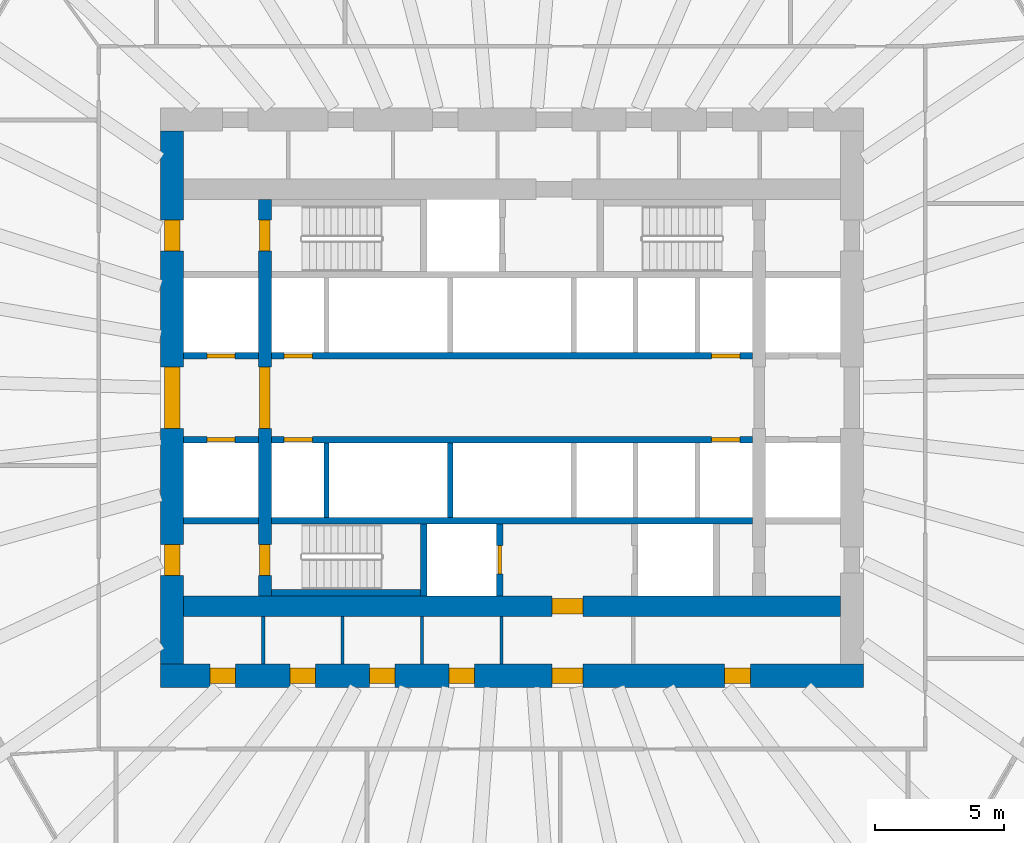
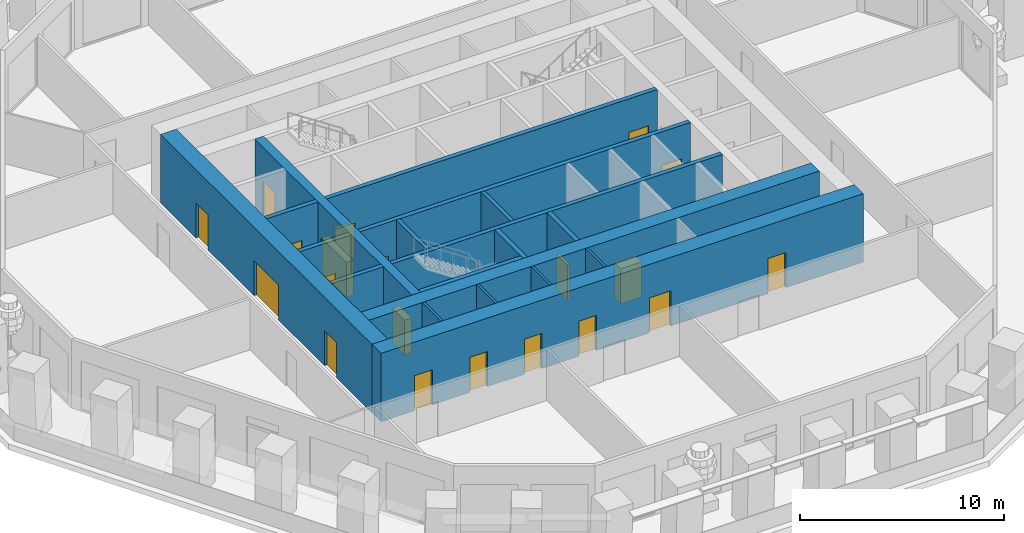
# One storey, part 4 of 12: 20 doors, 19 walls, 20 openings.
"""IFC4 building model written with IfcOpenShell, lengths in metres."""

from ifc_helpers import new_model, si_unit, direction, frame, frame_2d, origin, place, context, subcontext, project, spatial, rectangle, extrude, material, layer, layer_set, type_object, element, fill, save


model = new_model("IFC4")

# Units and contexts
model_context = context("Model", 3, precision=1e-05, world=origin(), true_north=direction((0.0, 1.0)))
body_context = subcontext(model_context, "Body", "Model", "MODEL_VIEW")
ifc_project = project(units=[si_unit("LENGTHUNIT", "METRE"), si_unit("AREAUNIT", "SQUARE_METRE"), si_unit("VOLUMEUNIT", "CUBIC_METRE"), si_unit("PLANEANGLEUNIT", "RADIAN"), si_unit("MASSUNIT", "GRAM", prefix="KILO")], contexts=[model_context])

# Site, building, storey
site_placement = place(None, origin())
site = spatial("IfcSite", under=ifc_project, at=site_placement, CompositionType="ELEMENT")
building_placement = place(site_placement, origin())
building = spatial("IfcBuilding", under=site, at=building_placement, Name="Frailejon Research Tower", CompositionType="ELEMENT")
storey_placement = place(building_placement, frame((0.0, 0.0, 41.0)))
storey = spatial("IfcBuildingStorey", under=building, at=storey_placement, Name="L09", CompositionType="ELEMENT", Elevation=41.0)

# Walls
ifc_material_1 = material(Name="Plasterboard on steel studs", Category="steel")
ifc_layer_1 = layer(ifc_material_1, 0.125)
ifc_layer_set_1 = layer_set([ifc_layer_1], Name="Core partition 125")
wall_type_1 = type_object("IfcWallType", Name="Core partition 125", PredefinedType="PARTITIONING", material=ifc_layer_set_1)
for number, where, z_axis, x_axis, name in (
    (1, (-9.66552734375, -10.35009765625, 0.0), (0.0, 0.0, 1.0), (0.0, 1.0, 0.0), "Core partition"),
    (2, (-6.581298828125, -10.35009765625, 0.0), (0.0, 0.0, 1.0), (0.0, 1.0, 0.0), "Core partition"),
    (3, (-3.496826171875, -10.35009765625, 0.0), (0.0, 0.0, 1.0), (0.0, 1.0, 0.0), "Core partition"),
    (4, (-0.41259765625, -10.35009765625, 0.0), (0.0, 0.0, 1.0), (0.0, 1.0, 0.0), "Core partition"),
):
    element("IfcWall", number, at=place(storey_placement, frame(where, z_axis=z_axis, x_axis=x_axis)), inside=storey, type_object=wall_type_1, Name=name, PredefinedType="PARTITIONING", context=body_context, shape_type="SweptSolid", body=[
        extrude(rectangle(XDim=1.85009765625, YDim=0.125, at=frame_2d((0.925048828125, 0.0))), origin(), (0.0, 0.0, 1.0), 4.10009765625),
    ])

# Wall, openings, doors
ifc_material_2 = material(Name="Concrete C70/85", Category="concrete")
ifc_layer_2 = layer(ifc_material_2, 0.5)
ifc_layer_set_2 = layer_set([ifc_layer_2], Name="Core shear wall 500 C70/85")
wall_type_2 = type_object("IfcWallType", Name="Core shear wall 500 C70/85", PredefinedType="SHEAR", material=ifc_layer_set_2)
wall_1_placement = place(storey_placement, frame((-9.60009765625, -7.699951171875, 0.0), z_axis=(0.0, 0.0, 1.0), x_axis=(0.0, 1.0, 0.0)))
wall_1 = element("IfcWall", 5, at=wall_1_placement, inside=storey, type_object=wall_type_2, Name="Core shear wall", PredefinedType="SHEAR", context=body_context, shape_type="SweptSolid", body=[
    extrude(rectangle(XDim=15.39990234375, YDim=0.5, at=frame_2d((7.699951171875, 0.0))), origin(), (0.0, 0.0, 1.0), 4.10009765625),
])
opening_1_placement = place(wall_1_placement, frame((6.5, 0.0, 0.0)))
opening_1 = element("IfcOpeningElement", 6, at=opening_1_placement, cuts=wall_1, Name="Opening D2", PredefinedType="OPENING", context=body_context, shape_type="SweptSolid", body=[
    extrude(rectangle(XDim=2.39990234375, YDim=2.10009765625, at=frame_2d((1.199951171875, 1.050048828125))), frame((0.0, 0.260009765625, 0.0), z_axis=(0.0, -1.0, 0.0), x_axis=(1.0, 0.0, 0.0)), (0.0, 0.0, 1.0), 0.52001953125),
])
opening_2_placement = place(wall_1_placement, frame((13.39990234375, 0.0, 0.0)))
opening_2 = element("IfcOpeningElement", 7, at=opening_2_placement, cuts=wall_1, Name="Opening D1", PredefinedType="OPENING", context=body_context, shape_type="SweptSolid", body=[
    extrude(rectangle(XDim=1.199951171875, YDim=2.10009765625, at=frame_2d((0.60009765625, 1.050048828125))), frame((0.0, 0.260009765625, 0.0), z_axis=(0.0, -1.0, 0.0), x_axis=(1.0, 0.0, 0.0)), (0.0, 0.0, 1.0), 0.52001953125),
])
opening_3_placement = place(wall_1_placement, frame((0.800048828125, 0.0, 0.0)))
opening_3 = element("IfcOpeningElement", 8, at=opening_3_placement, cuts=wall_1, Name="Opening D1", PredefinedType="OPENING", context=body_context, shape_type="SweptSolid", body=[
    extrude(rectangle(XDim=1.199951171875, YDim=2.10009765625, at=frame_2d((0.60009765625, 1.050048828125))), frame((0.0, 0.260009765625, 0.0), z_axis=(0.0, -1.0, 0.0), x_axis=(1.0, 0.0, 0.0)), (0.0, 0.0, 1.0), 0.52001953125),
])
ifc_material_3 = material(Name="Steel", Category="steel")
door_type_1 = type_object("IfcDoorType", Name="Lobby double door", OperationType="DOUBLE_DOOR_SINGLE_SWING", PredefinedType="DOOR", material=ifc_material_3)
door_1_placement = place(opening_1_placement, origin())
door_1 = element("IfcDoor", 9, at=door_1_placement, inside=storey, type_object=door_type_1, Name="Lobby door", OperationType="DOUBLE_DOOR_SINGLE_SWING", OverallHeight=2.10009765625, OverallWidth=2.39990234375, PredefinedType="DOOR", context=body_context, shape_type="SweptSolid", body=[
    extrude(rectangle(XDim=2.39990234375, YDim=2.10009765625, at=frame_2d((1.199951171875, 1.050048828125))), frame((0.0, 0.199951171875, 0.0), z_axis=(0.0, -1.0, 0.0), x_axis=(1.0, 0.0, 0.0)), (0.0, 0.0, 1.0), 0.39990234375),
])
fill(opening_1, door_1)
ifc_material_4 = material(Name="Steel", Category="steel")
door_type_2 = type_object("IfcDoorType", Name="Stair door", OperationType="SINGLE_SWING_LEFT", PredefinedType="DOOR", material=ifc_material_4)
door_2_placement = place(opening_2_placement, origin())
door_2 = element("IfcDoor", 10, at=door_2_placement, inside=storey, type_object=door_type_2, Name="Stair door ST1", OperationType="SINGLE_SWING_RIGHT", OverallHeight=2.10009765625, OverallWidth=1.199951171875, PredefinedType="DOOR", context=body_context, shape_type="SweptSolid", body=[
    extrude(rectangle(XDim=1.199951171875, YDim=2.10009765625, at=frame_2d((0.60009765625, 1.050048828125))), frame((0.0, 0.199951171875, 0.0), z_axis=(0.0, -1.0, 0.0), x_axis=(1.0, 0.0, 0.0)), (0.0, 0.0, 1.0), 0.39990234375),
])
fill(opening_2, door_2)
door_3_placement = place(opening_3_placement, origin())
door_3 = element("IfcDoor", 11, at=door_3_placement, inside=storey, type_object=door_type_2, Name="Stair door ST2", OperationType="SINGLE_SWING_RIGHT", OverallHeight=2.10009765625, OverallWidth=1.199951171875, PredefinedType="DOOR", context=body_context, shape_type="SweptSolid", body=[
    extrude(rectangle(XDim=1.199951171875, YDim=2.10009765625, at=frame_2d((0.60009765625, 1.050048828125))), frame((0.0, 0.199951171875, 0.0), z_axis=(0.0, -1.0, 0.0), x_axis=(1.0, 0.0, 0.0)), (0.0, 0.0, 1.0), 0.39990234375),
])
fill(opening_3, door_3)

# Wall, opening, door
ifc_material_5 = material(Name="Concrete C70/85", Category="concrete")
ifc_layer_3 = layer(ifc_material_5, 0.800048828125)
ifc_layer_set_3 = layer_set([ifc_layer_3], Name="Core shear wall 800 C70/85")
wall_type_3 = type_object("IfcWallType", Name="Core shear wall 800 C70/85", PredefinedType="SHEAR", material=ifc_layer_set_3)
wall_2_placement = place(storey_placement, frame((-12.75, -8.10009765625, 0.0), z_axis=(0.0, 0.0, 1.0), x_axis=(1.0, 0.0, 0.0)))
wall_2 = element("IfcWall", 12, at=wall_2_placement, inside=storey, type_object=wall_type_3, Name="Core shear wall", PredefinedType="SHEAR", context=body_context, shape_type="SweptSolid", body=[
    extrude(rectangle(XDim=25.5, YDim=0.800048828125, at=frame_2d((12.75, 0.0))), origin(), (0.0, 0.0, 1.0), 4.10009765625),
])
opening_4_placement = place(wall_2_placement, frame((14.300048828125, 0.0, 0.0)))
opening_4 = element("IfcOpeningElement", 13, at=opening_4_placement, cuts=wall_2, Name="Opening D3", PredefinedType="OPENING", context=body_context, shape_type="SweptSolid", body=[
    extrude(rectangle(XDim=1.199951171875, YDim=2.10009765625, at=frame_2d((0.60009765625, 1.050048828125))), frame((0.0, 0.409912109375, 0.0), z_axis=(0.0, -1.0, 0.0), x_axis=(1.0, 0.0, 0.0)), (0.0, 0.0, 1.0), 0.820068359375),
])
ifc_material_6 = material(Name="Steel", Category="steel")
door_type_3 = type_object("IfcDoorType", Name="Firefighting lobby door", OperationType="SINGLE_SWING_LEFT", PredefinedType="DOOR", material=ifc_material_6)
door_4_placement = place(opening_4_placement, origin())
door_4 = element("IfcDoor", 14, at=door_4_placement, inside=storey, type_object=door_type_3, Name="Firefighting lobby door", OperationType="SINGLE_SWING_RIGHT", OverallHeight=2.10009765625, OverallWidth=1.199951171875, PredefinedType="DOOR", context=body_context, shape_type="SweptSolid", body=[
    extrude(rectangle(XDim=1.199951171875, YDim=2.10009765625, at=frame_2d((0.60009765625, 1.050048828125))), frame((0.0, 0.300048828125, 0.0), z_axis=(0.0, -1.0, 0.0), x_axis=(1.0, 0.0, 0.0)), (0.0, 0.0, 1.0), 0.60009765625),
])
fill(opening_4, door_4)

# Wall, openings, doors
ifc_material_7 = material(Name="Concrete C70/85", Category="concrete")
ifc_layer_4 = layer(ifc_material_7, 0.89990234375)
ifc_layer_set_4 = layer_set([ifc_layer_4], Name="Core shear wall 900 C70/85")
wall_type_4 = type_object("IfcWallType", Name="Core shear wall 900 C70/85", PredefinedType="SHEAR", material=ifc_layer_set_4)
wall_3_placement = place(storey_placement, frame((-13.64990234375, -10.800048828125, 0.0), z_axis=(0.0, 0.0, 1.0), x_axis=(1.0, 0.0, 0.0)))
wall_3 = element("IfcWall", 15, at=wall_3_placement, inside=storey, type_object=wall_type_4, Name="Core shear wall", PredefinedType="SHEAR", context=body_context, shape_type="SweptSolid", body=[
    extrude(rectangle(XDim=27.2998046875, YDim=0.89990234375, at=frame_2d((13.64990234375, 0.0))), origin(), (0.0, 0.0, 1.0), 4.10009765625),
])
opening_5_placement = place(wall_3_placement, frame((1.910888671875, 0.0, 0.0)))
opening_5 = element("IfcOpeningElement", 16, at=opening_5_placement, cuts=wall_3, Name="Opening D4", PredefinedType="OPENING", context=body_context, shape_type="SweptSolid", body=[
    extrude(rectangle(XDim=1.0, YDim=2.10009765625, at=frame_2d((0.5, 1.050048828125))), frame((0.0, 0.4599609375, 0.0), z_axis=(0.0, -1.0, 0.0), x_axis=(1.0, 0.0, 0.0)), (0.0, 0.0, 1.0), 0.919921875),
])
opening_6_placement = place(wall_3_placement, frame((5.026611328125, 0.0, 0.0)))
opening_6 = element("IfcOpeningElement", 17, at=opening_6_placement, cuts=wall_3, Name="Opening D4", PredefinedType="OPENING", context=body_context, shape_type="SweptSolid", body=[
    extrude(rectangle(XDim=1.0, YDim=2.10009765625, at=frame_2d((0.5, 1.050048828125))), frame((0.0, 0.4599609375, 0.0), z_axis=(0.0, -1.0, 0.0), x_axis=(1.0, 0.0, 0.0)), (0.0, 0.0, 1.0), 0.919921875),
])
opening_7_placement = place(wall_3_placement, frame((8.11083984375, 0.0, 0.0)))
opening_7 = element("IfcOpeningElement", 18, at=opening_7_placement, cuts=wall_3, Name="Opening D4", PredefinedType="OPENING", context=body_context, shape_type="SweptSolid", body=[
    extrude(rectangle(XDim=1.0, YDim=2.10009765625, at=frame_2d((0.5, 1.050048828125))), frame((0.0, 0.4599609375, 0.0), z_axis=(0.0, -1.0, 0.0), x_axis=(1.0, 0.0, 0.0)), (0.0, 0.0, 1.0), 0.919921875),
])
opening_8_placement = place(wall_3_placement, frame((11.1953125, 0.0, 0.0)))
opening_8 = element("IfcOpeningElement", 19, at=opening_8_placement, cuts=wall_3, Name="Opening D4", PredefinedType="OPENING", context=body_context, shape_type="SweptSolid", body=[
    extrude(rectangle(XDim=1.0, YDim=2.10009765625, at=frame_2d((0.5, 1.050048828125))), frame((0.0, 0.4599609375, 0.0), z_axis=(0.0, -1.0, 0.0), x_axis=(1.0, 0.0, 0.0)), (0.0, 0.0, 1.0), 0.919921875),
])
opening_9_placement = place(wall_3_placement, frame((21.91259765625, 0.0, 0.0)))
opening_9 = element("IfcOpeningElement", 20, at=opening_9_placement, cuts=wall_3, Name="Opening D4", PredefinedType="OPENING", context=body_context, shape_type="SweptSolid", body=[
    extrude(rectangle(XDim=1.0, YDim=2.10009765625, at=frame_2d((0.5, 1.050048828125))), frame((0.0, 0.4599609375, 0.0), z_axis=(0.0, -1.0, 0.0), x_axis=(1.0, 0.0, 0.0)), (0.0, 0.0, 1.0), 0.919921875),
])
opening_10_placement = place(wall_3_placement, frame((15.199951171875, 0.0, 0.0)))
opening_10 = element("IfcOpeningElement", 21, at=opening_10_placement, cuts=wall_3, Name="Opening D3", PredefinedType="OPENING", context=body_context, shape_type="SweptSolid", body=[
    extrude(rectangle(XDim=1.199951171875, YDim=2.10009765625, at=frame_2d((0.60009765625, 1.050048828125))), frame((0.0, 0.4599609375, 0.0), z_axis=(0.0, -1.0, 0.0), x_axis=(1.0, 0.0, 0.0)), (0.0, 0.0, 1.0), 0.919921875),
])
door_5_placement = place(opening_10_placement, origin())
door_5 = element("IfcDoor", 22, at=door_5_placement, inside=storey, type_object=door_type_3, Name="Passage door", OperationType="SINGLE_SWING_RIGHT", OverallHeight=2.10009765625, OverallWidth=1.199951171875, PredefinedType="DOOR", context=body_context, shape_type="SweptSolid", body=[
    extrude(rectangle(XDim=1.199951171875, YDim=2.10009765625, at=frame_2d((0.60009765625, 1.050048828125))), frame((0.0, 0.300048828125, 0.0), z_axis=(0.0, -1.0, 0.0), x_axis=(1.0, 0.0, 0.0)), (0.0, 0.0, 1.0), 0.60009765625),
])
fill(opening_10, door_5)
ifc_material_8 = material(Name="Steel", Category="steel")
door_type_4 = type_object("IfcDoorType", Name="Service door", OperationType="SINGLE_SWING_LEFT", PredefinedType="DOOR", material=ifc_material_8)
door_6_placement = place(opening_5_placement, origin())
door_6 = element("IfcDoor", 23, at=door_6_placement, inside=storey, type_object=door_type_4, Name="Room door", OperationType="SINGLE_SWING_LEFT", OverallHeight=2.10009765625, OverallWidth=1.0, PredefinedType="DOOR", context=body_context, shape_type="SweptSolid", body=[
    extrude(rectangle(XDim=1.0, YDim=2.10009765625, at=frame_2d((0.5, 1.050048828125))), frame((0.0, 0.300048828125, 0.0), z_axis=(0.0, -1.0, 0.0), x_axis=(1.0, 0.0, 0.0)), (0.0, 0.0, 1.0), 0.60009765625),
])
fill(opening_5, door_6)
door_7_placement = place(opening_6_placement, origin())
door_7 = element("IfcDoor", 24, at=door_7_placement, inside=storey, type_object=door_type_4, Name="Room door", OperationType="SINGLE_SWING_RIGHT", OverallHeight=2.10009765625, OverallWidth=1.0, PredefinedType="DOOR", context=body_context, shape_type="SweptSolid", body=[
    extrude(rectangle(XDim=1.0, YDim=2.10009765625, at=frame_2d((0.5, 1.050048828125))), frame((0.0, 0.300048828125, 0.0), z_axis=(0.0, -1.0, 0.0), x_axis=(1.0, 0.0, 0.0)), (0.0, 0.0, 1.0), 0.60009765625),
])
fill(opening_6, door_7)
door_8_placement = place(opening_7_placement, origin())
door_8 = element("IfcDoor", 25, at=door_8_placement, inside=storey, type_object=door_type_4, Name="Room door", OperationType="SINGLE_SWING_LEFT", OverallHeight=2.10009765625, OverallWidth=1.0, PredefinedType="DOOR", context=body_context, shape_type="SweptSolid", body=[
    extrude(rectangle(XDim=1.0, YDim=2.10009765625, at=frame_2d((0.5, 1.050048828125))), frame((0.0, 0.300048828125, 0.0), z_axis=(0.0, -1.0, 0.0), x_axis=(1.0, 0.0, 0.0)), (0.0, 0.0, 1.0), 0.60009765625),
])
fill(opening_7, door_8)
door_9_placement = place(opening_8_placement, origin())
door_9 = element("IfcDoor", 26, at=door_9_placement, inside=storey, type_object=door_type_4, Name="Room door", OperationType="SINGLE_SWING_RIGHT", OverallHeight=2.10009765625, OverallWidth=1.0, PredefinedType="DOOR", context=body_context, shape_type="SweptSolid", body=[
    extrude(rectangle(XDim=1.0, YDim=2.10009765625, at=frame_2d((0.5, 1.050048828125))), frame((0.0, 0.300048828125, 0.0), z_axis=(0.0, -1.0, 0.0), x_axis=(1.0, 0.0, 0.0)), (0.0, 0.0, 1.0), 0.60009765625),
])
fill(opening_8, door_9)
door_10_placement = place(opening_9_placement, origin())
door_10 = element("IfcDoor", 27, at=door_10_placement, inside=storey, type_object=door_type_4, Name="Room door", OperationType="SINGLE_SWING_LEFT", OverallHeight=2.10009765625, OverallWidth=1.0, PredefinedType="DOOR", context=body_context, shape_type="SweptSolid", body=[
    extrude(rectangle(XDim=1.0, YDim=2.10009765625, at=frame_2d((0.5, 1.050048828125))), frame((0.0, 0.300048828125, 0.0), z_axis=(0.0, -1.0, 0.0), x_axis=(1.0, 0.0, 0.0)), (0.0, 0.0, 1.0), 0.60009765625),
])
fill(opening_9, door_10)

wall_4_placement = place(storey_placement, frame((-13.199951171875, -10.35009765625, 0.0), z_axis=(0.0, 0.0, 1.0), x_axis=(0.0, 1.0, 0.0)))
wall_4 = element("IfcWall", 28, at=wall_4_placement, inside=storey, type_object=wall_type_4, Name="Core shear wall", PredefinedType="SHEAR", context=body_context, shape_type="SweptSolid", body=[
    extrude(rectangle(XDim=20.7001953125, YDim=0.89990234375, at=frame_2d((10.35009765625, 0.0))), origin(), (0.0, 0.0, 1.0), 4.10009765625),
])
opening_11_placement = place(wall_4_placement, frame((9.14990234375, 0.0, 0.0)))
opening_11 = element("IfcOpeningElement", 29, at=opening_11_placement, cuts=wall_4, Name="Opening D2", PredefinedType="OPENING", context=body_context, shape_type="SweptSolid", body=[
    extrude(rectangle(XDim=2.39990234375, YDim=2.10009765625, at=frame_2d((1.199951171875, 1.050048828125))), frame((0.0, 0.4599609375, 0.0), z_axis=(0.0, -1.0, 0.0), x_axis=(1.0, 0.0, 0.0)), (0.0, 0.0, 1.0), 0.919921875),
])
opening_12_placement = place(wall_4_placement, frame((16.050048828125, 0.0, 0.0)))
opening_12 = element("IfcOpeningElement", 30, at=opening_12_placement, cuts=wall_4, Name="Opening D7", PredefinedType="OPENING", context=body_context, shape_type="SweptSolid", body=[
    extrude(rectangle(XDim=1.199951171875, YDim=2.10009765625, at=frame_2d((0.60009765625, 1.050048828125))), frame((0.0, 0.4599609375, 0.0), z_axis=(0.0, -1.0, 0.0), x_axis=(1.0, 0.0, 0.0)), (0.0, 0.0, 1.0), 0.919921875),
])
opening_13_placement = place(wall_4_placement, frame((3.449951171875, 0.0, 0.0)))
opening_13 = element("IfcOpeningElement", 31, at=opening_13_placement, cuts=wall_4, Name="Opening D7", PredefinedType="OPENING", context=body_context, shape_type="SweptSolid", body=[
    extrude(rectangle(XDim=1.199951171875, YDim=2.10009765625, at=frame_2d((0.60009765625, 1.050048828125))), frame((0.0, 0.4599609375, 0.0), z_axis=(0.0, -1.0, 0.0), x_axis=(1.0, 0.0, 0.0)), (0.0, 0.0, 1.0), 0.919921875),
])
door_11_placement = place(opening_11_placement, origin())
door_11 = element("IfcDoor", 32, at=door_11_placement, inside=storey, type_object=door_type_1, Name="Lobby door", OperationType="DOUBLE_DOOR_SINGLE_SWING", OverallHeight=2.10009765625, OverallWidth=2.39990234375, PredefinedType="DOOR", context=body_context, shape_type="SweptSolid", body=[
    extrude(rectangle(XDim=2.39990234375, YDim=2.10009765625, at=frame_2d((1.199951171875, 1.050048828125))), frame((0.0, 0.300048828125, 0.0), z_axis=(0.0, -1.0, 0.0), x_axis=(1.0, 0.0, 0.0)), (0.0, 0.0, 1.0), 0.60009765625),
])
fill(opening_11, door_11)
ifc_material_9 = material(Name="Steel", Category="steel")
door_type_5 = type_object("IfcDoorType", Name="Stair exit door", OperationType="SINGLE_SWING_LEFT", PredefinedType="DOOR", material=ifc_material_9)
door_12_placement = place(opening_12_placement, origin())
door_12 = element("IfcDoor", 33, at=door_12_placement, inside=storey, type_object=door_type_5, Name="Stair exit door ST1", OperationType="SINGLE_SWING_LEFT", OverallHeight=2.10009765625, OverallWidth=1.199951171875, PredefinedType="DOOR", context=body_context, shape_type="SweptSolid", body=[
    extrude(rectangle(XDim=1.199951171875, YDim=2.10009765625, at=frame_2d((0.60009765625, 1.050048828125))), frame((0.0, 0.300048828125, 0.0), z_axis=(0.0, -1.0, 0.0), x_axis=(1.0, 0.0, 0.0)), (0.0, 0.0, 1.0), 0.60009765625),
])
fill(opening_12, door_12)
door_13_placement = place(opening_13_placement, origin())
door_13 = element("IfcDoor", 34, at=door_13_placement, inside=storey, type_object=door_type_5, Name="Stair exit door ST2", OperationType="SINGLE_SWING_LEFT", OverallHeight=2.10009765625, OverallWidth=1.199951171875, PredefinedType="DOOR", context=body_context, shape_type="SweptSolid", body=[
    extrude(rectangle(XDim=1.199951171875, YDim=2.10009765625, at=frame_2d((0.60009765625, 1.050048828125))), frame((0.0, 0.300048828125, 0.0), z_axis=(0.0, -1.0, 0.0), x_axis=(1.0, 0.0, 0.0)), (0.0, 0.0, 1.0), 0.60009765625),
])
fill(opening_13, door_13)

# Walls
ifc_material_10 = material(Name="Concrete C70/85", Category="concrete")
ifc_layer_5 = layer(ifc_material_10, 0.199951171875)
ifc_layer_set_5 = layer_set([ifc_layer_5], Name="Shaft wall 200 C70/85")
wall_type_5 = type_object("IfcWallType", Name="Shaft wall 200 C70/85", PredefinedType="SOLIDWALL", material=ifc_layer_set_5)
for number, where, z_axis, x_axis, name in (
    (35, (-7.199951171875, -4.64990234375, 0.0), (0.0, 0.0, 1.0), (0.0, 1.0, 0.0), "Shaft wall"),
    (36, (-2.39990234375, -4.64990234375, 0.0), (0.0, 0.0, 1.0), (0.0, 1.0, 0.0), "Shaft wall"),
):
    element("IfcWall", number, at=place(storey_placement, frame(where, z_axis=z_axis, x_axis=x_axis)), inside=storey, type_object=wall_type_5, Name=name, PredefinedType="SOLIDWALL", context=body_context, shape_type="SweptSolid", body=[
        extrude(rectangle(XDim=2.89990234375, YDim=0.199951171875, at=frame_2d((1.449951171875, 0.0))), origin(), (0.0, 0.0, 1.0), 4.10009765625),
    ])

# Wall, opening, door
ifc_material_11 = material(Name="Concrete C70/85", Category="concrete")
ifc_layer_6 = layer(ifc_material_11, 0.25)
ifc_layer_set_6 = layer_set([ifc_layer_6], Name="Shaft wall 250 C70/85")
wall_type_6 = type_object("IfcWallType", Name="Shaft wall 250 C70/85", PredefinedType="SOLIDWALL", material=ifc_layer_set_6)
wall_5_placement = place(storey_placement, frame((-12.75, 1.625, 0.0), z_axis=(0.0, 0.0, 1.0), x_axis=(1.0, 0.0, 0.0)))
wall_5 = element("IfcWall", 37, at=wall_5_placement, inside=storey, type_object=wall_type_6, Name="Shaft wall", PredefinedType="SOLIDWALL", context=body_context, shape_type="SweptSolid", body=[
    extrude(rectangle(XDim=2.89990234375, YDim=0.25, at=frame_2d((1.449951171875, 0.0))), origin(), (0.0, 0.0, 1.0), 4.10009765625),
])
opening_14_placement = place(wall_5_placement, frame((0.89990234375, 0.0, 0.0)))
opening_14 = element("IfcOpeningElement", 38, at=opening_14_placement, cuts=wall_5, Name="Opening LD", PredefinedType="OPENING", context=body_context, shape_type="SweptSolid", body=[
    extrude(rectangle(XDim=1.10009765625, YDim=2.10009765625, at=frame_2d((0.550048828125, 1.050048828125))), frame((0.0, 0.135009765625, 0.0), z_axis=(0.0, -1.0, 0.0), x_axis=(1.0, 0.0, 0.0)), (0.0, 0.0, 1.0), 0.27001953125),
])
ifc_material_12 = material(Name="Steel", Category="steel")
door_type_6 = type_object("IfcDoorType", Name="Lift landing door", OperationType="DOUBLE_DOOR_SLIDING", PredefinedType="DOOR", material=ifc_material_12)
door_14_placement = place(opening_14_placement, origin())
door_14 = element("IfcDoor", 39, at=door_14_placement, inside=storey, type_object=door_type_6, Name="Lift landing door", OperationType="DOUBLE_DOOR_SLIDING", OverallHeight=2.10009765625, OverallWidth=1.10009765625, PredefinedType="DOOR", context=body_context, shape_type="SweptSolid", body=[
    extrude(rectangle(XDim=1.10009765625, YDim=2.10009765625, at=frame_2d((0.550048828125, 1.050048828125))), frame((0.0, 0.074951171875, 0.0), z_axis=(0.0, -1.0, 0.0), x_axis=(1.0, 0.0, 0.0)), (0.0, 0.0, 1.0), 0.14990234375),
])
fill(opening_14, door_14)

# Wall, openings, doors
wall_6_placement = place(storey_placement, frame((-9.35009765625, 1.625, 0.0), z_axis=(0.0, 0.0, 1.0), x_axis=(1.0, 0.0, 0.0)))
wall_6 = element("IfcWall", 40, at=wall_6_placement, inside=storey, type_object=wall_type_6, Name="Shaft wall", PredefinedType="SOLIDWALL", context=body_context, shape_type="SweptSolid", body=[
    extrude(rectangle(XDim=18.7001953125, YDim=0.25, at=frame_2d((9.35009765625, 0.0))), origin(), (0.0, 0.0, 1.0), 4.10009765625),
])
opening_15_placement = place(wall_6_placement, frame((0.5, 0.0, 0.0)))
opening_15 = element("IfcOpeningElement", 41, at=opening_15_placement, cuts=wall_6, Name="Opening LD", PredefinedType="OPENING", context=body_context, shape_type="SweptSolid", body=[
    extrude(rectangle(XDim=1.10009765625, YDim=2.10009765625, at=frame_2d((0.550048828125, 1.050048828125))), frame((0.0, 0.135009765625, 0.0), z_axis=(0.0, -1.0, 0.0), x_axis=(1.0, 0.0, 0.0)), (0.0, 0.0, 1.0), 0.27001953125),
])
opening_16_placement = place(wall_6_placement, frame((17.10009765625, 0.0, 0.0)))
opening_16 = element("IfcOpeningElement", 42, at=opening_16_placement, cuts=wall_6, Name="Opening LD", PredefinedType="OPENING", context=body_context, shape_type="SweptSolid", body=[
    extrude(rectangle(XDim=1.10009765625, YDim=2.10009765625, at=frame_2d((0.550048828125, 1.050048828125))), frame((0.0, 0.135009765625, 0.0), z_axis=(0.0, -1.0, 0.0), x_axis=(1.0, 0.0, 0.0)), (0.0, 0.0, 1.0), 0.27001953125),
])
door_15_placement = place(opening_15_placement, origin())
door_15 = element("IfcDoor", 43, at=door_15_placement, inside=storey, type_object=door_type_6, Name="Lift landing door", OperationType="DOUBLE_DOOR_SLIDING", OverallHeight=2.10009765625, OverallWidth=1.10009765625, PredefinedType="DOOR", context=body_context, shape_type="SweptSolid", body=[
    extrude(rectangle(XDim=1.10009765625, YDim=2.10009765625, at=frame_2d((0.550048828125, 1.050048828125))), frame((0.0, 0.074951171875, 0.0), z_axis=(0.0, -1.0, 0.0), x_axis=(1.0, 0.0, 0.0)), (0.0, 0.0, 1.0), 0.14990234375),
])
fill(opening_15, door_15)
door_16_placement = place(opening_16_placement, origin())
door_16 = element("IfcDoor", 44, at=door_16_placement, inside=storey, type_object=door_type_6, Name="Lift landing door", OperationType="DOUBLE_DOOR_SLIDING", OverallHeight=2.10009765625, OverallWidth=1.10009765625, PredefinedType="DOOR", context=body_context, shape_type="SweptSolid", body=[
    extrude(rectangle(XDim=1.10009765625, YDim=2.10009765625, at=frame_2d((0.550048828125, 1.050048828125))), frame((0.0, 0.074951171875, 0.0), z_axis=(0.0, -1.0, 0.0), x_axis=(1.0, 0.0, 0.0)), (0.0, 0.0, 1.0), 0.14990234375),
])
fill(opening_16, door_16)

# Wall, opening, door
wall_7_placement = place(storey_placement, frame((-12.75, -1.625, 0.0), z_axis=(0.0, 0.0, 1.0), x_axis=(1.0, 0.0, 0.0)))
wall_7 = element("IfcWall", 45, at=wall_7_placement, inside=storey, type_object=wall_type_6, Name="Shaft wall", PredefinedType="SOLIDWALL", context=body_context, shape_type="SweptSolid", body=[
    extrude(rectangle(XDim=2.89990234375, YDim=0.25, at=frame_2d((1.449951171875, 0.0))), origin(), (0.0, 0.0, 1.0), 4.10009765625),
])
opening_17_placement = place(wall_7_placement, frame((0.89990234375, 0.0, 0.0)))
opening_17 = element("IfcOpeningElement", 46, at=opening_17_placement, cuts=wall_7, Name="Opening LD", PredefinedType="OPENING", context=body_context, shape_type="SweptSolid", body=[
    extrude(rectangle(XDim=1.10009765625, YDim=2.10009765625, at=frame_2d((0.550048828125, 1.050048828125))), frame((0.0, 0.135009765625, 0.0), z_axis=(0.0, -1.0, 0.0), x_axis=(1.0, 0.0, 0.0)), (0.0, 0.0, 1.0), 0.27001953125),
])
door_17_placement = place(opening_17_placement, origin())
door_17 = element("IfcDoor", 47, at=door_17_placement, inside=storey, type_object=door_type_6, Name="Lift landing door", OperationType="DOUBLE_DOOR_SLIDING", OverallHeight=2.10009765625, OverallWidth=1.10009765625, PredefinedType="DOOR", context=body_context, shape_type="SweptSolid", body=[
    extrude(rectangle(XDim=1.10009765625, YDim=2.10009765625, at=frame_2d((0.550048828125, 1.050048828125))), frame((0.0, 0.074951171875, 0.0), z_axis=(0.0, -1.0, 0.0), x_axis=(1.0, 0.0, 0.0)), (0.0, 0.0, 1.0), 0.14990234375),
])
fill(opening_17, door_17)

# Wall, openings, doors
wall_8_placement = place(storey_placement, frame((-9.35009765625, -1.625, 0.0), z_axis=(0.0, 0.0, 1.0), x_axis=(1.0, 0.0, 0.0)))
wall_8 = element("IfcWall", 48, at=wall_8_placement, inside=storey, type_object=wall_type_6, Name="Shaft wall", PredefinedType="SOLIDWALL", context=body_context, shape_type="SweptSolid", body=[
    extrude(rectangle(XDim=18.7001953125, YDim=0.25, at=frame_2d((9.35009765625, 0.0))), origin(), (0.0, 0.0, 1.0), 4.10009765625),
])
opening_18_placement = place(wall_8_placement, frame((0.5, 0.0, 0.0)))
opening_18 = element("IfcOpeningElement", 49, at=opening_18_placement, cuts=wall_8, Name="Opening LD", PredefinedType="OPENING", context=body_context, shape_type="SweptSolid", body=[
    extrude(rectangle(XDim=1.10009765625, YDim=2.10009765625, at=frame_2d((0.550048828125, 1.050048828125))), frame((0.0, 0.135009765625, 0.0), z_axis=(0.0, -1.0, 0.0), x_axis=(1.0, 0.0, 0.0)), (0.0, 0.0, 1.0), 0.27001953125),
])
opening_19_placement = place(wall_8_placement, frame((17.10009765625, 0.0, 0.0)))
opening_19 = element("IfcOpeningElement", 50, at=opening_19_placement, cuts=wall_8, Name="Opening LD", PredefinedType="OPENING", context=body_context, shape_type="SweptSolid", body=[
    extrude(rectangle(XDim=1.10009765625, YDim=2.10009765625, at=frame_2d((0.550048828125, 1.050048828125))), frame((0.0, 0.135009765625, 0.0), z_axis=(0.0, -1.0, 0.0), x_axis=(1.0, 0.0, 0.0)), (0.0, 0.0, 1.0), 0.27001953125),
])
door_18_placement = place(opening_18_placement, origin())
door_18 = element("IfcDoor", 51, at=door_18_placement, inside=storey, type_object=door_type_6, Name="Lift landing door", OperationType="DOUBLE_DOOR_SLIDING", OverallHeight=2.10009765625, OverallWidth=1.10009765625, PredefinedType="DOOR", context=body_context, shape_type="SweptSolid", body=[
    extrude(rectangle(XDim=1.10009765625, YDim=2.10009765625, at=frame_2d((0.550048828125, 1.050048828125))), frame((0.0, 0.074951171875, 0.0), z_axis=(0.0, -1.0, 0.0), x_axis=(1.0, 0.0, 0.0)), (0.0, 0.0, 1.0), 0.14990234375),
])
fill(opening_18, door_18)
door_19_placement = place(opening_19_placement, origin())
door_19 = element("IfcDoor", 52, at=door_19_placement, inside=storey, type_object=door_type_6, Name="Lift landing door", OperationType="DOUBLE_DOOR_SLIDING", OverallHeight=2.10009765625, OverallWidth=1.10009765625, PredefinedType="DOOR", context=body_context, shape_type="SweptSolid", body=[
    extrude(rectangle(XDim=1.10009765625, YDim=2.10009765625, at=frame_2d((0.550048828125, 1.050048828125))), frame((0.0, 0.074951171875, 0.0), z_axis=(0.0, -1.0, 0.0), x_axis=(1.0, 0.0, 0.0)), (0.0, 0.0, 1.0), 0.14990234375),
])
fill(opening_19, door_19)

# Walls
wall_9_placement = place(storey_placement, frame((-12.75, -4.77490234375, 0.0), z_axis=(0.0, 0.0, 1.0), x_axis=(1.0, 0.0, 0.0)))
element("IfcWall", 53, at=wall_9_placement, inside=storey, type_object=wall_type_6, Name="Shaft wall", PredefinedType="SOLIDWALL", context=body_context, shape_type="SweptSolid", body=[
    extrude(rectangle(XDim=2.89990234375, YDim=0.25, at=frame_2d((1.449951171875, 0.0))), origin(), (0.0, 0.0, 1.0), 4.10009765625),
])
wall_10_placement = place(storey_placement, frame((-9.35009765625, -4.77490234375, 0.0), z_axis=(0.0, 0.0, 1.0), x_axis=(1.0, 0.0, 0.0)))
element("IfcWall", 54, at=wall_10_placement, inside=storey, type_object=wall_type_6, Name="Shaft wall", PredefinedType="SOLIDWALL", context=body_context, shape_type="SweptSolid", body=[
    extrude(rectangle(XDim=18.7001953125, YDim=0.25, at=frame_2d((9.35009765625, 0.0))), origin(), (0.0, 0.0, 1.0), 4.10009765625),
])
wall_11_placement = place(storey_placement, frame((-9.35009765625, -7.574951171875, 0.0), z_axis=(0.0, 0.0, 1.0), x_axis=(1.0, 0.0, 0.0)))
element("IfcWall", 55, at=wall_11_placement, inside=storey, type_object=wall_type_6, Name="Shaft wall", PredefinedType="SOLIDWALL", context=body_context, shape_type="SweptSolid", body=[
    extrude(rectangle(XDim=5.800048828125, YDim=0.25, at=frame_2d((2.89990234375, 0.0))), origin(), (0.0, 0.0, 1.0), 4.10009765625),
])
wall_12_placement = place(storey_placement, frame((-3.425048828125, -7.699951171875, 0.0), z_axis=(0.0, 0.0, 1.0), x_axis=(0.0, 1.0, 0.0)))
element("IfcWall", 56, at=wall_12_placement, inside=storey, type_object=wall_type_6, Name="Shaft wall", PredefinedType="SOLIDWALL", context=body_context, shape_type="SweptSolid", body=[
    extrude(rectangle(XDim=2.800048828125, YDim=0.25, at=frame_2d((1.39990234375, 0.0))), origin(), (0.0, 0.0, 1.0), 4.10009765625),
])

# Wall, opening, door
wall_13_placement = place(storey_placement, frame((-0.47509765625, -7.699951171875, 0.0), z_axis=(0.0, 0.0, 1.0), x_axis=(0.0, 1.0, 0.0)))
wall_13 = element("IfcWall", 57, at=wall_13_placement, inside=storey, type_object=wall_type_6, Name="Shaft wall", PredefinedType="SOLIDWALL", context=body_context, shape_type="SweptSolid", body=[
    extrude(rectangle(XDim=2.800048828125, YDim=0.25, at=frame_2d((1.39990234375, 0.0))), origin(), (0.0, 0.0, 1.0), 4.10009765625),
])
opening_20_placement = place(wall_13_placement, frame((0.85009765625, 0.0, 0.0)))
opening_20 = element("IfcOpeningElement", 58, at=opening_20_placement, cuts=wall_13, Name="Opening LD", PredefinedType="OPENING", context=body_context, shape_type="SweptSolid", body=[
    extrude(rectangle(XDim=1.10009765625, YDim=2.10009765625, at=frame_2d((0.550048828125, 1.050048828125))), frame((0.0, 0.135009765625, 0.0), z_axis=(0.0, -1.0, 0.0), x_axis=(1.0, 0.0, 0.0)), (0.0, 0.0, 1.0), 0.27001953125),
])
door_20_placement = place(opening_20_placement, origin())
door_20 = element("IfcDoor", 59, at=door_20_placement, inside=storey, type_object=door_type_6, Name="Lift landing door", OperationType="DOUBLE_DOOR_SLIDING", OverallHeight=2.10009765625, OverallWidth=1.10009765625, PredefinedType="DOOR", context=body_context, shape_type="SweptSolid", body=[
    extrude(rectangle(XDim=1.10009765625, YDim=2.10009765625, at=frame_2d((0.550048828125, 1.050048828125))), frame((0.0, 0.074951171875, 0.0), z_axis=(0.0, -1.0, 0.0), x_axis=(1.0, 0.0, 0.0)), (0.0, 0.0, 1.0), 0.14990234375),
])
fill(opening_20, door_20)

save(model, "model.ifc")
